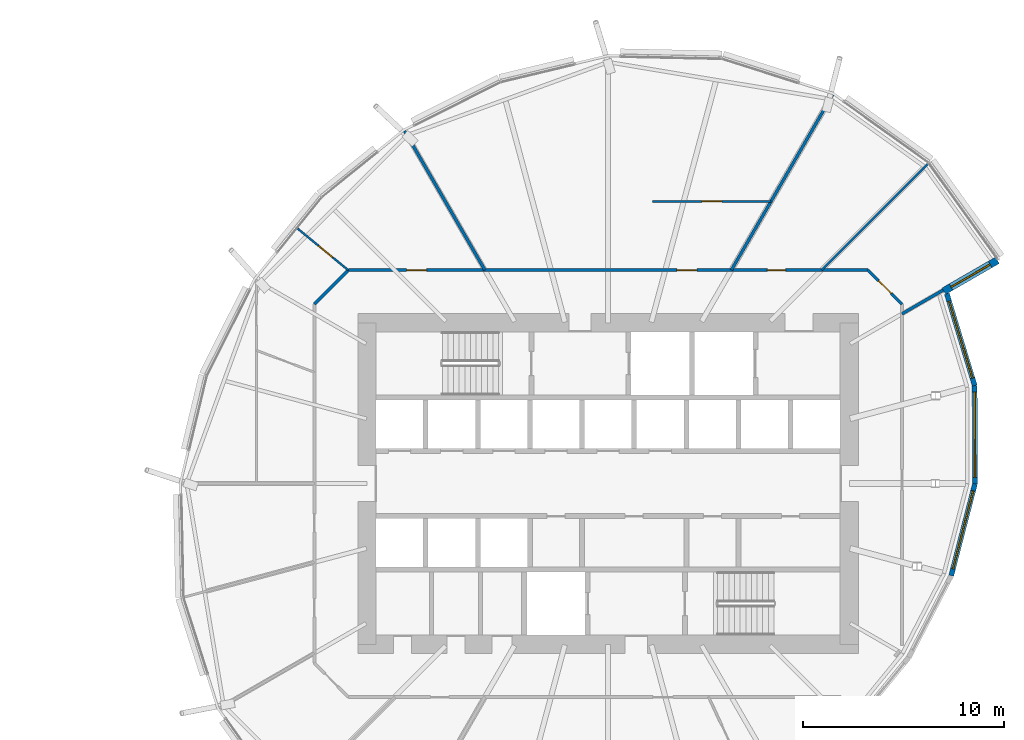
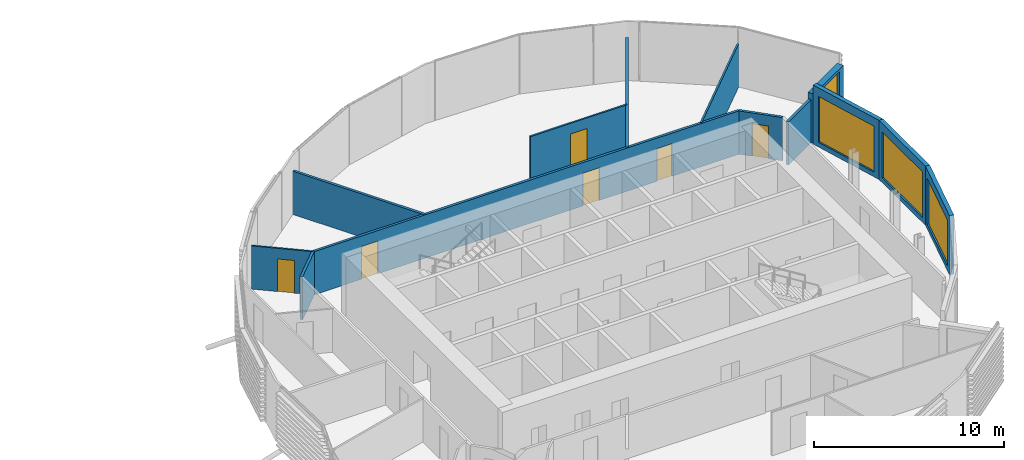
# One storey, part 25 of 37: 13 walls, 6 doors, 4 windows, 10 openings.
"""IFC4 building model written with IfcOpenShell, lengths in metres."""

from ifc_helpers import new_model, si_unit, direction, frame, frame_2d, origin, place, context, subcontext, project, spatial, rectangle, extrude, material, layer, layer_set, type_object, element, fill, save


model = new_model("IFC4")

# Units and contexts
model_context = context("Model", 3, precision=1e-05, world=origin(), true_north=direction((0.0, 1.0)))
body_context = subcontext(model_context, "Body", "Model", "MODEL_VIEW")
ifc_project = project(units=[si_unit("LENGTHUNIT", "METRE"), si_unit("AREAUNIT", "SQUARE_METRE"), si_unit("VOLUMEUNIT", "CUBIC_METRE"), si_unit("PLANEANGLEUNIT", "RADIAN"), si_unit("MASSUNIT", "GRAM", prefix="KILO")], contexts=[model_context])

# Site, building, storey
site_placement = place(None, origin())
site = spatial("IfcSite", under=ifc_project, at=site_placement, CompositionType="ELEMENT")
building_placement = place(site_placement, origin())
building = spatial("IfcBuilding", under=site, at=building_placement, Name="Rimbun Link Towers", CompositionType="ELEMENT")
storey_placement = place(building_placement, frame((0.0, 0.0, 45.199951171875)))
storey = spatial("IfcBuildingStorey", under=building, at=storey_placement, Name="L10", CompositionType="ELEMENT", Elevation=45.199951171875)

# Wall, opening, window
ifc_material_1 = material(Name="Dark enamelled glass spandrel on insulated aluminium backpan", Category="aluminium")
ifc_layer_1 = layer(ifc_material_1, 0.25)
ifc_layer_set_1 = layer_set([ifc_layer_1], Name="CS dark enamelled spandrel wall 250")
wall_type_1 = type_object("IfcWallType", Name="CS dark enamelled spandrel wall 250", PredefinedType="STANDARD", material=ifc_layer_set_1)
wall_1_placement = place(storey_placement, frame((50.0068359375, -0.015625, 0.0), z_axis=(0.0, 0.0, 1.0), x_axis=(-0.24995930572, -0.968256342858, 0.0)))
wall_1 = element("IfcWall", 1, at=wall_1_placement, inside=storey, type_object=wall_type_1, Name="Crease spandrel wall", PredefinedType="STANDARD", context=body_context, shape_type="SweptSolid", body=[
    extrude(rectangle(XDim=4.723388671875, YDim=0.25, at=frame_2d((2.36181640625, 0.0))), origin(), (0.0, 0.0, 1.0), 3.800048828125),
])
opening_1_placement = place(wall_1_placement, frame((0.361572265625, 0.0, 0.300048828125)))
opening_1 = element("IfcOpeningElement", 2, at=opening_1_placement, cuts=wall_1, Name="Opening WR40H295", PredefinedType="OPENING", context=body_context, shape_type="SweptSolid", body=[
    extrude(rectangle(XDim=4.0, YDim=2.949951171875, at=frame_2d((2.0, 1.47509765625))), frame((0.0, 0.135009765625, 0.0), z_axis=(0.0, -1.0, 0.0), x_axis=(1.0, 0.0, 0.0)), (0.0, 0.0, 1.0), 0.27001953125),
])
ifc_material_2 = material(Name="Aluminium framed fixed window, dark tinted low-e glass", Category="aluminium")
window_type_1 = type_object("IfcWindowType", Name="WR ribbon window 4000X2950", PartitioningType="SINGLE_PANEL", PredefinedType="WINDOW", material=ifc_material_2)
window_1_placement = place(opening_1_placement, origin())
window_1 = element("IfcWindow", 3, at=window_1_placement, inside=storey, type_object=window_type_1, Name="Crease ribbon window", OverallHeight=2.949951171875, OverallWidth=4.0, PartitioningType="SINGLE_PANEL", PredefinedType="WINDOW", context=body_context, shape_type="SweptSolid", body=[
    extrude(rectangle(XDim=4.0, YDim=2.949951171875, at=frame_2d((2.0, 1.47509765625))), frame((0.0, 0.030029296875, 0.0), z_axis=(0.0, -1.0, 0.0), x_axis=(1.0, 0.0, 0.0)), (0.0, 0.0, 1.0), 0.06005859375),
])
fill(opening_1, window_1)

wall_2_placement = place(storey_placement, frame((49.9931640625, 4.87353515625, 0.0), z_axis=(0.0, 0.0, 1.0), x_axis=(0.002796353793, -0.999996090195, 0.0)))
wall_2 = element("IfcWall", 4, at=wall_2_placement, inside=storey, type_object=wall_type_1, Name="Crease spandrel wall", PredefinedType="STANDARD", context=body_context, shape_type="SweptSolid", body=[
    extrude(rectangle(XDim=4.88916015625, YDim=0.25, at=frame_2d((2.444580078125, 0.0))), origin(), (0.0, 0.0, 1.0), 3.800048828125),
])
opening_2_placement = place(wall_2_placement, frame((0.319580078125, 0.0, 0.300048828125)))
opening_2 = element("IfcOpeningElement", 5, at=opening_2_placement, cuts=wall_2, Name="Opening WR42H295", PredefinedType="OPENING", context=body_context, shape_type="SweptSolid", body=[
    extrude(rectangle(XDim=4.25, YDim=2.949951171875, at=frame_2d((2.125, 1.47509765625))), frame((0.0, 0.135009765625, 0.0), z_axis=(0.0, -1.0, 0.0), x_axis=(1.0, 0.0, 0.0)), (0.0, 0.0, 1.0), 0.27001953125),
])
ifc_material_3 = material(Name="Aluminium framed fixed window, dark tinted low-e glass", Category="aluminium")
window_type_2 = type_object("IfcWindowType", Name="WR ribbon window 4250X2950", PartitioningType="SINGLE_PANEL", PredefinedType="WINDOW", material=ifc_material_3)
window_2_placement = place(opening_2_placement, origin())
window_2 = element("IfcWindow", 6, at=window_2_placement, inside=storey, type_object=window_type_2, Name="Crease ribbon window", OverallHeight=2.949951171875, OverallWidth=4.25, PartitioningType="SINGLE_PANEL", PredefinedType="WINDOW", context=body_context, shape_type="SweptSolid", body=[
    extrude(rectangle(XDim=4.25, YDim=2.949951171875, at=frame_2d((2.125, 1.47509765625))), frame((0.0, 0.030029296875, 0.0), z_axis=(0.0, -1.0, 0.0), x_axis=(1.0, 0.0, 0.0)), (0.0, 0.0, 1.0), 0.06005859375),
])
fill(opening_2, window_2)

wall_3_placement = place(storey_placement, frame((48.6083984375, 9.444580078125, 0.0), z_axis=(0.0, 0.0, 1.0), x_axis=(0.28993078462, -0.957047616438, 0.0)))
wall_3 = element("IfcWall", 7, at=wall_3_placement, inside=storey, type_object=wall_type_1, Name="Crease spandrel wall", PredefinedType="STANDARD", context=body_context, shape_type="SweptSolid", body=[
    extrude(rectangle(XDim=4.776123046875, YDim=0.25, at=frame_2d((2.38818359375, 0.0))), origin(), (0.0, 0.0, 1.0), 3.800048828125),
])
opening_3_placement = place(wall_3_placement, frame((0.38818359375, 0.0, 0.300048828125)))
opening_3 = element("IfcOpeningElement", 8, at=opening_3_placement, cuts=wall_3, Name="Opening WR40H295", PredefinedType="OPENING", context=body_context, shape_type="SweptSolid", body=[
    extrude(rectangle(XDim=4.0, YDim=2.949951171875, at=frame_2d((2.0, 1.47509765625))), frame((0.0, 0.135009765625, 0.0), z_axis=(0.0, -1.0, 0.0), x_axis=(1.0, 0.0, 0.0)), (0.0, 0.0, 1.0), 0.27001953125),
])
window_3_placement = place(opening_3_placement, origin())
window_3 = element("IfcWindow", 9, at=window_3_placement, inside=storey, type_object=window_type_1, Name="Crease ribbon window", OverallHeight=2.949951171875, OverallWidth=4.0, PartitioningType="SINGLE_PANEL", PredefinedType="WINDOW", context=body_context, shape_type="SweptSolid", body=[
    extrude(rectangle(XDim=4.0, YDim=2.949951171875, at=frame_2d((2.0, 1.47509765625))), frame((0.0, 0.030029296875, 0.0), z_axis=(0.0, -1.0, 0.0), x_axis=(1.0, 0.0, 0.0)), (0.0, 0.0, 1.0), 0.06005859375),
])
fill(opening_3, window_3)

ifc_material_4 = material(Name="Dark enamelled glass spandrel on insulated aluminium backpan", Category="aluminium")
ifc_layer_2 = layer(ifc_material_4, 0.3701171875)
ifc_layer_set_2 = layer_set([ifc_layer_2], Name="CS dark enamelled spandrel wall 370")
wall_type_2 = type_object("IfcWallType", Name="CS dark enamelled spandrel wall 370", PredefinedType="STANDARD", material=ifc_layer_set_2)
wall_4_placement = place(storey_placement, frame((51.12255859375, 11.10986328125, 0.0), z_axis=(0.0, 0.0, 1.0), x_axis=(-0.866010015463, -0.500026652407, 0.0)))
wall_4 = element("IfcWall", 10, at=wall_4_placement, inside=storey, type_object=wall_type_2, Name="Crease spandrel wall", PredefinedType="STANDARD", context=body_context, shape_type="SweptSolid", body=[
    extrude(rectangle(XDim=3.079833984375, YDim=0.3701171875, at=frame_2d((1.5400390625, 0.0))), origin(), (0.0, 0.0, 1.0), 3.1767578125),
])
opening_4_placement = place(wall_4_placement, frame((0.4150390625, 0.0, 0.300048828125)))
opening_4 = element("IfcOpeningElement", 11, at=opening_4_placement, cuts=wall_4, Name="Opening WR22H270", PredefinedType="OPENING", context=body_context, shape_type="SweptSolid", body=[
    extrude(rectangle(XDim=2.25, YDim=2.699951171875, at=frame_2d((1.125, 1.35009765625))), frame((0.0, 0.195068359375, 0.0), z_axis=(0.0, -1.0, 0.0), x_axis=(1.0, 0.0, 0.0)), (0.0, 0.0, 1.0), 0.39013671875),
])
ifc_material_5 = material(Name="Aluminium framed fixed window, dark tinted low-e glass", Category="aluminium")
window_type_3 = type_object("IfcWindowType", Name="WR ribbon window 2250X2700", PartitioningType="SINGLE_PANEL", PredefinedType="WINDOW", material=ifc_material_5)
window_4_placement = place(opening_4_placement, origin())
window_4 = element("IfcWindow", 12, at=window_4_placement, inside=storey, type_object=window_type_3, Name="Crease ribbon window", OverallHeight=2.699951171875, OverallWidth=2.25, PartitioningType="SINGLE_PANEL", PredefinedType="WINDOW", context=body_context, shape_type="SweptSolid", body=[
    extrude(rectangle(XDim=2.25, YDim=2.699951171875, at=frame_2d((1.125, 1.35009765625))), frame((0.0, 0.030029296875, 0.0), z_axis=(0.0, -1.0, 0.0), x_axis=(1.0, 0.0, 0.0)), (0.0, 0.0, 1.0), 0.06005859375),
])
fill(opening_4, window_4)

# Wall
ifc_material_6 = material(Name="Plasterboard on steel stud, mineral wool", Category="steel")
ifc_layer_3 = layer(ifc_material_6, 0.14990234375)
ifc_layer_set_3 = layer_set([ifc_layer_3], Name="Corridor wall EI 30 150 mm")
wall_type_3 = type_object("IfcWallType", Name="Corridor wall EI 30 150 mm", PredefinedType="PARTITIONING", material=ifc_layer_set_3)
wall_5_placement = place(storey_placement, frame((18.8232421875, 10.625, 0.0), z_axis=(0.0, 0.0, 1.0), x_axis=(-0.707106781187, -0.707106781187, 0.0)))
element("IfcWall", 13, at=wall_5_placement, inside=storey, type_object=wall_type_3, Name="Corridor wall EI 30 150 mm", PredefinedType="PARTITIONING", context=body_context, shape_type="SweptSolid", body=[
    extrude(rectangle(XDim=2.401611328125, YDim=0.14990234375, at=frame_2d((1.20068359375, 0.0))), origin(), (0.0, 0.0, 1.0), 2.779052734375),
])

# Wall, openings, doors
wall_6_placement = place(storey_placement, frame((18.8232421875, 10.625, 0.0), z_axis=(0.0, 0.0, 1.0), x_axis=(1.0, 0.0, 0.0)))
wall_6 = element("IfcWall", 14, at=wall_6_placement, inside=storey, type_object=wall_type_3, Name="Corridor wall EI 30 150 mm", PredefinedType="PARTITIONING", context=body_context, shape_type="SweptSolid", body=[
    extrude(rectangle(XDim=25.853515625, YDim=0.14990234375, at=frame_2d((12.9267578125, 0.0))), origin(), (0.0, 0.0, 1.0), 2.779052734375),
])
opening_5_placement = place(wall_6_placement, frame((20.8564453125, 0.0, 0.0)))
opening_5 = element("IfcOpeningElement", 15, at=opening_5_placement, cuts=wall_6, Name="Opening D02", PredefinedType="OPENING", context=body_context, shape_type="SweptSolid", body=[
    extrude(rectangle(XDim=0.89990234375, YDim=2.10009765625, at=frame_2d((0.449951171875, 1.050048828125))), frame((0.0, 0.0849609375, 0.0), z_axis=(0.0, -1.0, 0.0), x_axis=(1.0, 0.0, 0.0)), (0.0, 0.0, 1.0), 0.169921875),
])
opening_6_placement = place(wall_6_placement, frame((16.343505859375, 0.0, 0.0)))
opening_6 = element("IfcOpeningElement", 16, at=opening_6_placement, cuts=wall_6, Name="Opening D01", PredefinedType="OPENING", context=body_context, shape_type="SweptSolid", body=[
    extrude(rectangle(XDim=1.0, YDim=2.10009765625, at=frame_2d((0.5, 1.050048828125))), frame((0.0, 0.0849609375, 0.0), z_axis=(0.0, -1.0, 0.0), x_axis=(1.0, 0.0, 0.0)), (0.0, 0.0, 1.0), 0.169921875),
])
opening_7_placement = place(wall_6_placement, frame((2.896240234375, 0.0, 0.0)))
opening_7 = element("IfcOpeningElement", 17, at=opening_7_placement, cuts=wall_6, Name="Opening D01", PredefinedType="OPENING", context=body_context, shape_type="SweptSolid", body=[
    extrude(rectangle(XDim=1.0, YDim=2.10009765625, at=frame_2d((0.5, 1.050048828125))), frame((0.0, 0.0849609375, 0.0), z_axis=(0.0, -1.0, 0.0), x_axis=(1.0, 0.0, 0.0)), (0.0, 0.0, 1.0), 0.169921875),
])
ifc_material_7 = material(Name="Fire-resisting timber door leaf", Category="wood")
door_type_1 = type_object("IfcDoorType", Name="Fire door FD30S 1000", OperationType="NOTDEFINED", PredefinedType="DOOR", material=ifc_material_7)
door_1_placement = place(opening_6_placement, origin())
door_1 = element("IfcDoor", 18, at=door_1_placement, inside=storey, type_object=door_type_1, Name="Fire door FD30S 1000 to Reception", OperationType="SINGLE_SWING_LEFT", OverallHeight=2.10009765625, OverallWidth=1.0, PredefinedType="DOOR", context=body_context, shape_type="SweptSolid", body=[
    extrude(rectangle(XDim=1.0, YDim=2.10009765625, at=frame_2d((0.5, 1.050048828125))), frame((0.0, 0.02490234375, 0.0), z_axis=(0.0, -1.0, 0.0), x_axis=(1.0, 0.0, 0.0)), (0.0, 0.0, 1.0), 0.050048828125),
])
fill(opening_6, door_1)
door_2_placement = place(opening_7_placement, origin())
door_2 = element("IfcDoor", 19, at=door_2_placement, inside=storey, type_object=door_type_1, Name="Fire door FD30S 1000 to Customer lobby", OperationType="SINGLE_SWING_RIGHT", OverallHeight=2.10009765625, OverallWidth=1.0, PredefinedType="DOOR", context=body_context, shape_type="SweptSolid", body=[
    extrude(rectangle(XDim=1.0, YDim=2.10009765625, at=frame_2d((0.5, 1.050048828125))), frame((0.0, 0.02490234375, 0.0), z_axis=(0.0, -1.0, 0.0), x_axis=(1.0, 0.0, 0.0)), (0.0, 0.0, 1.0), 0.050048828125),
])
fill(opening_7, door_2)
ifc_material_8 = material(Name="Fire-resisting timber door leaf", Category="wood")
door_type_2 = type_object("IfcDoorType", Name="Fire door FD30S 900", OperationType="NOTDEFINED", PredefinedType="DOOR", material=ifc_material_8)
door_3_placement = place(opening_5_placement, origin())
door_3 = element("IfcDoor", 20, at=door_3_placement, inside=storey, type_object=door_type_2, Name="Fire door FD30S 900 to Cellular office", OperationType="SINGLE_SWING_RIGHT", OverallHeight=2.10009765625, OverallWidth=0.89990234375, PredefinedType="DOOR", context=body_context, shape_type="SweptSolid", body=[
    extrude(rectangle(XDim=0.89990234375, YDim=2.10009765625, at=frame_2d((0.449951171875, 1.050048828125))), frame((0.0, 0.02490234375, 0.0), z_axis=(0.0, -1.0, 0.0), x_axis=(1.0, 0.0, 0.0)), (0.0, 0.0, 1.0), 0.050048828125),
])
fill(opening_5, door_3)

# Wall, opening, door
wall_7_placement = place(storey_placement, frame((44.6767578125, 10.625, 0.0), z_axis=(0.0, 0.0, 1.0), x_axis=(0.707106781187, -0.707106781187, 0.0)))
wall_7 = element("IfcWall", 21, at=wall_7_placement, inside=storey, type_object=wall_type_3, Name="Corridor wall EI 30 150 mm", PredefinedType="PARTITIONING", context=body_context, shape_type="SweptSolid", body=[
    extrude(rectangle(XDim=2.401611328125, YDim=0.14990234375, at=frame_2d((1.20068359375, 0.0))), origin(), (0.0, 0.0, 1.0), 2.779052734375),
])
opening_8_placement = place(wall_7_placement, frame((0.7509765625, 0.0, 0.0)))
opening_8 = element("IfcOpeningElement", 22, at=opening_8_placement, cuts=wall_7, Name="Opening D02", PredefinedType="OPENING", context=body_context, shape_type="SweptSolid", body=[
    extrude(rectangle(XDim=0.89990234375, YDim=2.10009765625, at=frame_2d((0.449951171875, 1.050048828125))), frame((0.0, 0.0849609375, 0.0), z_axis=(0.0, -1.0, 0.0), x_axis=(1.0, 0.0, 0.0)), (0.0, 0.0, 1.0), 0.169921875),
])
door_4_placement = place(opening_8_placement, origin())
door_4 = element("IfcDoor", 23, at=door_4_placement, inside=storey, type_object=door_type_2, Name="Fire door FD30S 900 to Cellular office", OperationType="SINGLE_SWING_LEFT", OverallHeight=2.10009765625, OverallWidth=0.89990234375, PredefinedType="DOOR", context=body_context, shape_type="SweptSolid", body=[
    extrude(rectangle(XDim=0.89990234375, YDim=2.10009765625, at=frame_2d((0.449951171875, 1.050048828125))), frame((0.0, 0.02490234375, 0.0), z_axis=(0.0, -1.0, 0.0), x_axis=(1.0, 0.0, 0.0)), (0.0, 0.0, 1.0), 0.050048828125),
])
fill(opening_8, door_4)

# Wall
ifc_material_9 = material(Name="Plasterboard on steel stud", Category="steel")
ifc_layer_4 = layer(ifc_material_9, 0.10009765625)
ifc_layer_set_4 = layer_set([ifc_layer_4], Name="Plasterboard partition 100 mm")
wall_type_4 = type_object("IfcWallType", Name="Plasterboard partition 100 mm", PredefinedType="PARTITIONING", material=ifc_layer_set_4)
wall_8_placement = place(storey_placement, frame((47.689453125, 15.939453125, 0.0), z_axis=(0.0, 0.0, 1.0), x_axis=(-0.707106781187, -0.707106781187, 0.0)))
element("IfcWall", 24, at=wall_8_placement, inside=storey, type_object=wall_type_4, Name="Plasterboard partition 100 mm", PredefinedType="PARTITIONING", context=body_context, shape_type="SweptSolid", body=[
    extrude(rectangle(XDim=7.515869140625, YDim=0.10009765625, at=frame_2d((3.7578125, 0.0))), origin(), (0.0, 0.0, 1.0), 2.779052734375),
])

# Wall, opening, door
wall_9_placement = place(storey_placement, frame((33.965576171875, 14.044921875, 0.0), z_axis=(0.0, 0.0, 1.0), x_axis=(1.0, 0.0, 0.0)))
wall_9 = element("IfcWall", 25, at=wall_9_placement, inside=storey, type_object=wall_type_4, Name="Plasterboard partition 100 mm", PredefinedType="PARTITIONING", context=body_context, shape_type="SweptSolid", body=[
    extrude(rectangle(XDim=5.893310546875, YDim=0.10009765625, at=frame_2d((2.94677734375, 0.0))), origin(), (0.0, 0.0, 1.0), 2.779052734375),
])
opening_9_placement = place(wall_9_placement, frame((2.44677734375, 0.0, 0.0)))
opening_9 = element("IfcOpeningElement", 26, at=opening_9_placement, cuts=wall_9, Name="Opening D03", PredefinedType="OPENING", context=body_context, shape_type="SweptSolid", body=[
    extrude(rectangle(XDim=1.0, YDim=2.10009765625, at=frame_2d((0.5, 1.050048828125))), frame((0.0, 0.06005859375, 0.0), z_axis=(0.0, -1.0, 0.0), x_axis=(1.0, 0.0, 0.0)), (0.0, 0.0, 1.0), 0.1201171875),
])
ifc_material_10 = material(Name="Timber door leaf", Category="wood")
door_type_3 = type_object("IfcDoorType", Name="Flush door 1000", OperationType="NOTDEFINED", PredefinedType="DOOR", material=ifc_material_10)
door_5_placement = place(opening_9_placement, origin())
door_5 = element("IfcDoor", 27, at=door_5_placement, inside=storey, type_object=door_type_3, Name="Flush door 1000 to Open office", OperationType="SINGLE_SWING_LEFT", OverallHeight=2.10009765625, OverallWidth=1.0, PredefinedType="DOOR", context=body_context, shape_type="SweptSolid", body=[
    extrude(rectangle(XDim=1.0, YDim=2.10009765625, at=frame_2d((0.5, 1.050048828125))), frame((0.0, 0.02490234375, 0.0), z_axis=(0.0, -1.0, 0.0), x_axis=(1.0, 0.0, 0.0)), (0.0, 0.0, 1.0), 0.050048828125),
])
fill(opening_9, door_5)

wall_10_placement = place(storey_placement, frame((18.816650390625, 10.618408203125, 0.0), z_axis=(0.0, 0.0, 1.0), x_axis=(-0.772933716457, 0.634486776823, 0.0)))
wall_10 = element("IfcWall", 28, at=wall_10_placement, inside=storey, type_object=wall_type_4, Name="Plasterboard partition 100 mm", PredefinedType="PARTITIONING", context=body_context, shape_type="SweptSolid", body=[
    extrude(rectangle(XDim=3.297607421875, YDim=0.10009765625, at=frame_2d((1.64892578125, 0.0))), origin(), (0.0, 0.0, 1.0), 2.779052734375),
])
opening_10_placement = place(wall_10_placement, frame((0.9970703125, 0.0, 0.0)))
opening_10 = element("IfcOpeningElement", 29, at=opening_10_placement, cuts=wall_10, Name="Opening D04", PredefinedType="OPENING", context=body_context, shape_type="SweptSolid", body=[
    extrude(rectangle(XDim=0.89990234375, YDim=2.10009765625, at=frame_2d((0.449951171875, 1.050048828125))), frame((0.0, 0.06005859375, 0.0), z_axis=(0.0, -1.0, 0.0), x_axis=(1.0, 0.0, 0.0)), (0.0, 0.0, 1.0), 0.1201171875),
])
ifc_material_11 = material(Name="Timber door leaf", Category="wood")
door_type_4 = type_object("IfcDoorType", Name="Flush door 900", OperationType="NOTDEFINED", PredefinedType="DOOR", material=ifc_material_11)
door_6_placement = place(opening_10_placement, origin())
door_6 = element("IfcDoor", 30, at=door_6_placement, inside=storey, type_object=door_type_4, Name="Flush door 900 to Interview room", OperationType="SINGLE_SWING_RIGHT", OverallHeight=2.10009765625, OverallWidth=0.89990234375, PredefinedType="DOOR", context=body_context, shape_type="SweptSolid", body=[
    extrude(rectangle(XDim=0.89990234375, YDim=2.10009765625, at=frame_2d((0.449951171875, 1.050048828125))), frame((0.0, 0.02490234375, 0.0), z_axis=(0.0, -1.0, 0.0), x_axis=(1.0, 0.0, 0.0)), (0.0, 0.0, 1.0), 0.050048828125),
])
fill(opening_10, door_6)

# Walls
ifc_material_12 = material(Name="Plasterboard on steel stud, mineral wool", Category="steel")
ifc_layer_5 = layer(ifc_material_12, 0.14990234375)
ifc_layer_set_5 = layer_set([ifc_layer_5], Name="Tenancy separation wall EI 60 150 mm")
wall_type_5 = type_object("IfcWallType", Name="Tenancy separation wall EI 60 150 mm", PredefinedType="PARTITIONING", material=ifc_layer_set_5)
wall_11_placement = place(storey_placement, frame((37.884521484375, 10.625, 0.0), z_axis=(0.0, 0.0, 1.0), x_axis=(0.499987934352, 0.866032369777, 0.0)))
element("IfcWall", 31, at=wall_11_placement, inside=storey, type_object=wall_type_5, Name="Tenancy separation wall EI 60 150 mm", PredefinedType="PARTITIONING", context=body_context, shape_type="SweptSolid", body=[
    extrude(rectangle(XDim=10.083251953125, YDim=0.14990234375, at=frame_2d((5.04150390625, 0.0))), origin(), (0.0, 0.0, 1.0), 2.779052734375),
])
wall_12_placement = place(storey_placement, frame((25.615478515625, 10.625, 0.0), z_axis=(0.0, 0.0, 1.0), x_axis=(-0.499977946567, 0.866038135965, 0.0)))
element("IfcWall", 32, at=wall_12_placement, inside=storey, type_object=wall_type_5, Name="Tenancy separation wall EI 60 150 mm", PredefinedType="PARTITIONING", context=body_context, shape_type="SweptSolid", body=[
    extrude(rectangle(XDim=7.995849609375, YDim=0.14990234375, at=frame_2d((3.998046875, 0.0))), origin(), (0.0, 0.0, 1.0), 2.779052734375),
])
wall_13_placement = place(storey_placement, frame((46.375, 8.44384765625, 0.0), z_axis=(0.0, 0.0, 1.0), x_axis=(0.866017090885, 0.500014398087, 0.0)))
element("IfcWall", 33, at=wall_13_placement, inside=storey, type_object=wall_type_5, Name="Tenancy separation wall EI 60 150 mm", PredefinedType="PARTITIONING", context=body_context, shape_type="SweptSolid", body=[
    extrude(rectangle(XDim=2.36474609375, YDim=0.14990234375, at=frame_2d((1.182373046875, 0.0))), origin(), (0.0, 0.0, 1.0), 2.779052734375),
])

save(model, "model.ifc")
